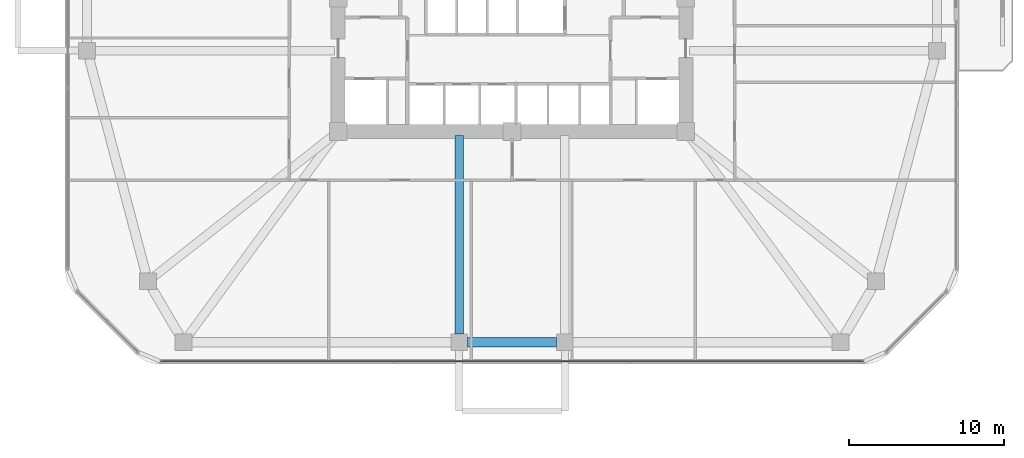
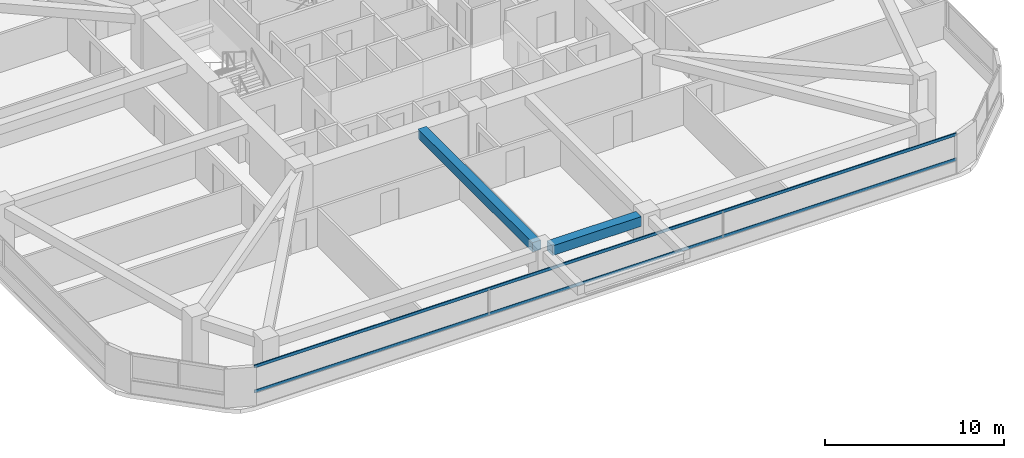
# One storey, part 3 of 13: 2 beams, 2 members, 1 element without a shape of its own.
"""IFC4 building model written with IfcOpenShell, lengths in metres."""

from ifc_helpers import new_model, si_unit, derived_unit, direction, frame, origin, origin_2d, place, context, subcontext, project, spatial, rectangle, extrude, material, material_profile, profile_set, type_object, element, aggregate, save


model = new_model("IFC4")

# Units and contexts
model_context = context("Model", 3, precision=1e-05, world=origin(), true_north=direction((0.0, 1.0)))
body_context = subcontext(model_context, "Body", "Model", "MODEL_VIEW")
ifc_project = project(units=[si_unit("LENGTHUNIT", "METRE"), si_unit("AREAUNIT", "SQUARE_METRE"), si_unit("VOLUMEUNIT", "CUBIC_METRE"), si_unit("PLANEANGLEUNIT", "RADIAN"), si_unit("MASSUNIT", "GRAM", prefix="KILO"), derived_unit("THERMALTRANSMITTANCEUNIT", [(si_unit("POWERUNIT", "WATT"), 1), (si_unit("LENGTHUNIT", "METRE"), -2), (si_unit("THERMODYNAMICTEMPERATUREUNIT", "KELVIN"), -1)])], contexts=[model_context])

# Site, building, storey
site_placement = place(None, origin())
site = spatial("IfcSite", under=ifc_project, at=site_placement, CompositionType="ELEMENT")
building_placement = place(site_placement, origin())
building = spatial("IfcBuilding", under=site, at=building_placement, Name="Koralith Skygarden Medical Center", CompositionType="ELEMENT")
storey_placement = place(building_placement, frame((0.0, 0.0, 59.93994140625)))
storey = spatial("IfcBuildingStorey", under=building, at=storey_placement, Name="L15", CompositionType="ELEMENT", Elevation=59.93994140625)

# Curtain wall, members
ifc_material_1 = material(Name="Clear Laminated Glass", Category="glass")
curtain_wall_type = type_object("IfcCurtainWallType", Name="CW-2 Zone 1 Hurricane Unitised Curtain Wall", PredefinedType="NOTDEFINED", material=ifc_material_1)
curtain_wall_placement = place(storey_placement, origin())
curtain_wall = element("IfcCurtainWall", 1, at=curtain_wall_placement, inside=storey, type_object=curtain_wall_type, Name="Curtain Wall CW-L15-S", PredefinedType="NOTDEFINED")
ifc_material_2 = material(Name="Aluminium 6063-T6", Category="aluminium")
ifc_material_profile_1 = material_profile(ifc_material_2, rectangle(XDim=0.06591796875, YDim=0.197998046875, at=origin_2d()), Name="TRN66X198")
ifc_profile_set_1 = profile_set([ifc_material_profile_1], Name="Aluminium 6063-T6")
member_type = type_object("IfcMemberType", Name="CW-2 Thermal Transom 66x198", PredefinedType="USERDEFINED", material=ifc_profile_set_1)
member_1_placement = place(storey_placement, frame((14.35498046875, 2.47998046875, 0.900146484375), z_axis=(1.0, 0.0, 0.0), x_axis=(0.0, 1.0, 0.0)))
member_1 = element("IfcMember", 2, at=member_1_placement, type_object=member_type, Name="CW-L15-S Transom 1", ObjectType="TRANSOM", PredefinedType="USERDEFINED", context=body_context, shape_type="SweptSolid", body=[
    extrude(rectangle(XDim=0.06591796875, YDim=0.197998046875, at=origin_2d()), origin(), (0.0, 0.0, 1.0), 45.2900390625),
])
member_2_placement = place(storey_placement, frame((14.35498046875, 2.47998046875, 2.60009765625), z_axis=(1.0, 0.0, 0.0), x_axis=(0.0, 1.0, 0.0)))
member_2 = element("IfcMember", 3, at=member_2_placement, type_object=member_type, Name="CW-L15-S Transom 2", ObjectType="TRANSOM", PredefinedType="USERDEFINED", context=body_context, shape_type="SweptSolid", body=[
    extrude(rectangle(XDim=0.06591796875, YDim=0.197998046875, at=origin_2d()), origin(), (0.0, 0.0, 1.0), 45.2900390625),
])
aggregate(curtain_wall, [member_1, member_2])

# Beams
ifc_material_3 = material(Name="Concrete C45/55", Category="concrete")
ifc_material_profile_2 = material_profile(ifc_material_3, rectangle(XDim=0.550048828125, YDim=0.639892578125, at=origin_2d()), Name="RCB550X640")
ifc_profile_set_2 = profile_set([ifc_material_profile_2], Name="Concrete C45/55")
beam_type_1 = type_object("IfcBeamType", Name="Radial Collector Beam RCB550X640", PredefinedType="BEAM", material=ifc_profile_set_2)
beam_1_placement = place(storey_placement, frame((33.60009765625, 17.050048828125, 3.0), z_axis=(0.0, -1.0, 0.0), x_axis=(1.0, 0.0, 0.0)))
element("IfcBeam", 4, at=beam_1_placement, inside=storey, type_object=beam_type_1, Name="L15 Radial Collector Beam RB-04", PredefinedType="BEAM", context=body_context, shape_type="SweptSolid", body=[
    extrude(rectangle(XDim=0.550048828125, YDim=0.639892578125, at=origin_2d()), origin(), (0.0, 0.0, 1.0), 12.800048828125),
])
ifc_material_profile_3 = material_profile(ifc_material_3, rectangle(XDim=0.60009765625, YDim=0.659912109375, at=origin_2d()), Name="RCB600X660")
ifc_profile_set_3 = profile_set([ifc_material_profile_3], Name="Concrete C45/55")
beam_type_2 = type_object("IfcBeamType", Name="Zone 1 Spandrel Beam RCB600X660", PredefinedType="SPANDREL", material=ifc_profile_set_3)
beam_2_placement = place(storey_placement, frame((34.1298828125, 3.719970703125, 2.989990234375), z_axis=(1.0, 0.0, 0.0), x_axis=(0.0, 1.0, 0.0)))
element("IfcBeam", 5, at=beam_2_placement, inside=storey, type_object=beam_type_2, Name="L15 Perimeter Spandrel Beam SP-04", PredefinedType="SPANDREL", context=body_context, shape_type="SweptSolid", body=[
    extrude(rectangle(XDim=0.60009765625, YDim=0.659912109375, at=origin_2d()), origin(), (0.0, 0.0, 1.0), 5.740234375),
])

save(model, "model.ifc")
